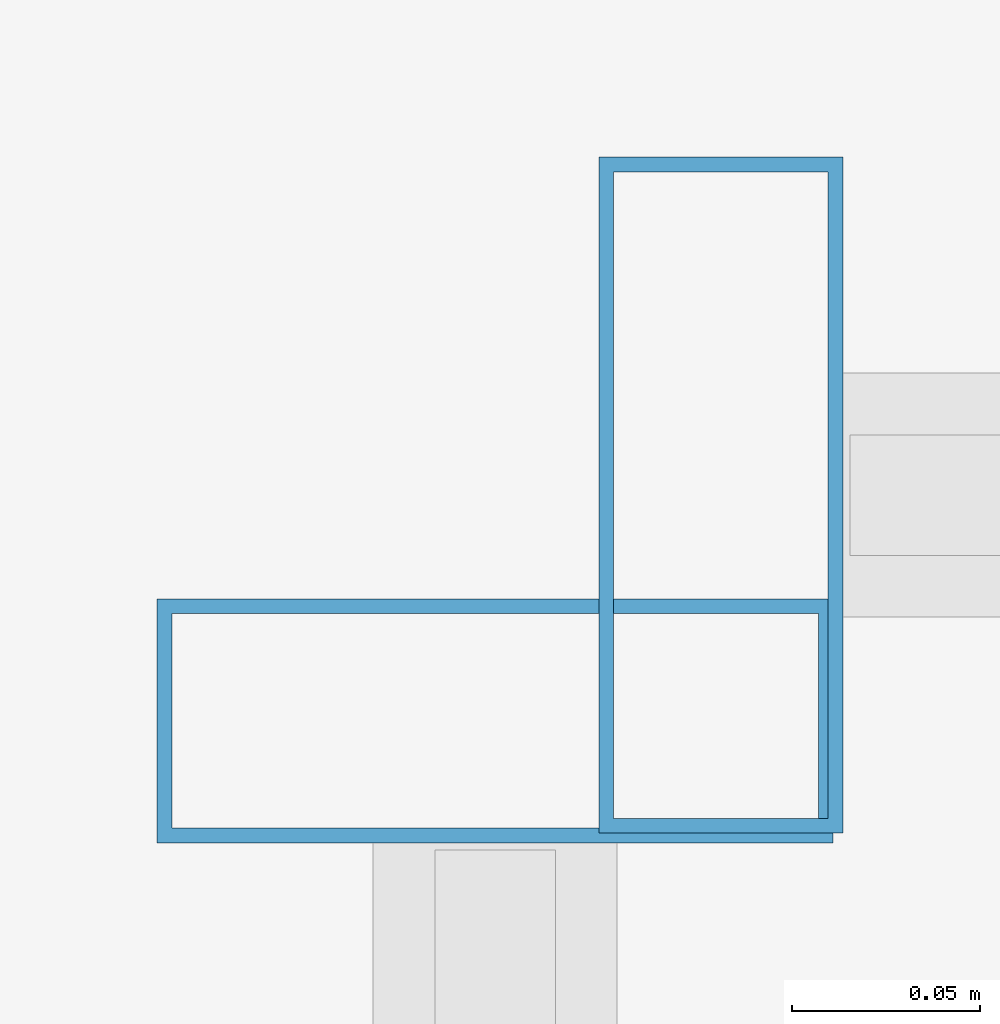
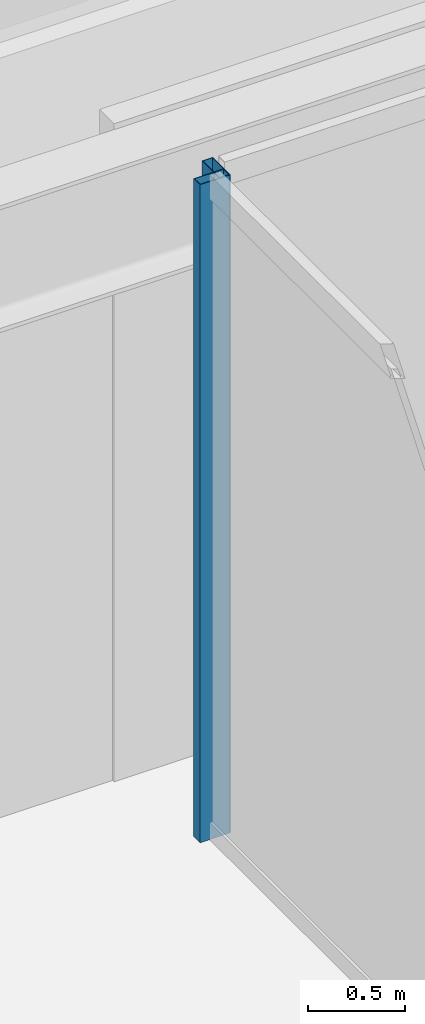
# One storey, part 24 of 49: 2 members, 2 elements without a shape of their own.
"""IFC4 building model written with IfcOpenShell, lengths in metres."""

from ifc_helpers import new_model, si_unit, direction, frame, origin, origin_2d, place, context, subcontext, project, spatial, hollow_rectangle, extrude, material, material_profile, profile_set, type_object, element, aggregate, save


model = new_model("IFC4")

# Units and contexts
model_context = context("Model", 3, precision=1e-05, world=origin(), true_north=direction((0.0, 1.0)))
body_context = subcontext(model_context, "Body", "Model", "MODEL_VIEW")
ifc_project = project(units=[si_unit("LENGTHUNIT", "METRE"), si_unit("AREAUNIT", "SQUARE_METRE"), si_unit("VOLUMEUNIT", "CUBIC_METRE"), si_unit("PLANEANGLEUNIT", "RADIAN"), si_unit("MASSUNIT", "GRAM", prefix="KILO")], contexts=[model_context])

# Site, building, storey
site_placement = place(None, origin())
site = spatial("IfcSite", under=ifc_project, at=site_placement, CompositionType="ELEMENT")
building_placement = place(site_placement, origin())
building = spatial("IfcBuilding", under=site, at=building_placement, Name="Saevonmaru Cultural Tower", CompositionType="ELEMENT")
storey_placement = place(building_placement, frame((0.0, 0.0, 38.39990234375)))
storey = spatial("IfcBuildingStorey", under=building, at=storey_placement, Name="L07", CompositionType="ELEMENT", Elevation=38.39990234375)

# Curtain wall, member
ifc_material = material(Name="Satin Bronze Anodised Aluminium", Category="aluminium")
curtain_wall_type = type_object("IfcCurtainWallType", Name="CW-ATR-GLZ", PredefinedType="NOTDEFINED", material=ifc_material)
curtain_wall_1_placement = place(storey_placement, origin())
curtain_wall_1 = element("IfcCurtainWall", 1, at=curtain_wall_1_placement, inside=storey, type_object=curtain_wall_type, Name="L07 Vertical Atrium Glazed Smoke Screen 3", PredefinedType="NOTDEFINED")
ifc_material_profile = material_profile(ifc_material, hollow_rectangle(XDim=0.06494140625, YDim=0.179931640625, WallThickness=0.00390625, at=origin_2d()), Name="ALU-MULL-180x65x4")
ifc_profile_set = profile_set([ifc_material_profile], Name="Satin Bronze Anodised Aluminium")
member_type = type_object("IfcMemberType", Name="ML-CW-INT-180x65", PredefinedType="MULLION", material=ifc_profile_set)
member_1_placement = place(storey_placement, frame((24.110107421875, 38.27001953125, 0.0), z_axis=(0.0, 0.0, 1.0), x_axis=(-1.0, 0.0, 0.0)))
member_1 = element("IfcMember", 2, at=member_1_placement, type_object=member_type, Name="CW-ATR-L07-3 mullion 2", PredefinedType="MULLION", context=body_context, shape_type="SweptSolid", body=[
    extrude(hollow_rectangle(XDim=0.06494140625, YDim=0.179931640625, WallThickness=0.00390625, at=origin_2d()), origin(), (0.0, 0.0, 1.0), 4.150146484375),
])
aggregate(curtain_wall_1, [member_1])

curtain_wall_2_placement = place(storey_placement, origin())
curtain_wall_2 = element("IfcCurtainWall", 3, at=curtain_wall_2_placement, inside=storey, type_object=curtain_wall_type, Name="L07 Vertical Atrium Glazed Smoke Screen 4", PredefinedType="NOTDEFINED")
member_2_placement = place(storey_placement, frame((24.050048828125, 38.2099609375, 0.0), z_axis=(0.0, 0.0, 1.0), x_axis=(0.0, -1.0, 0.0)))
member_2 = element("IfcMember", 4, at=member_2_placement, type_object=member_type, Name="CW-ATR-L07-4 mullion 1", PredefinedType="MULLION", context=body_context, shape_type="SweptSolid", body=[
    extrude(hollow_rectangle(XDim=0.06494140625, YDim=0.179931640625, WallThickness=0.00390625, at=origin_2d()), origin(), (0.0, 0.0, 1.0), 4.150146484375),
])
aggregate(curtain_wall_2, [member_2])

save(model, "model.ifc")
